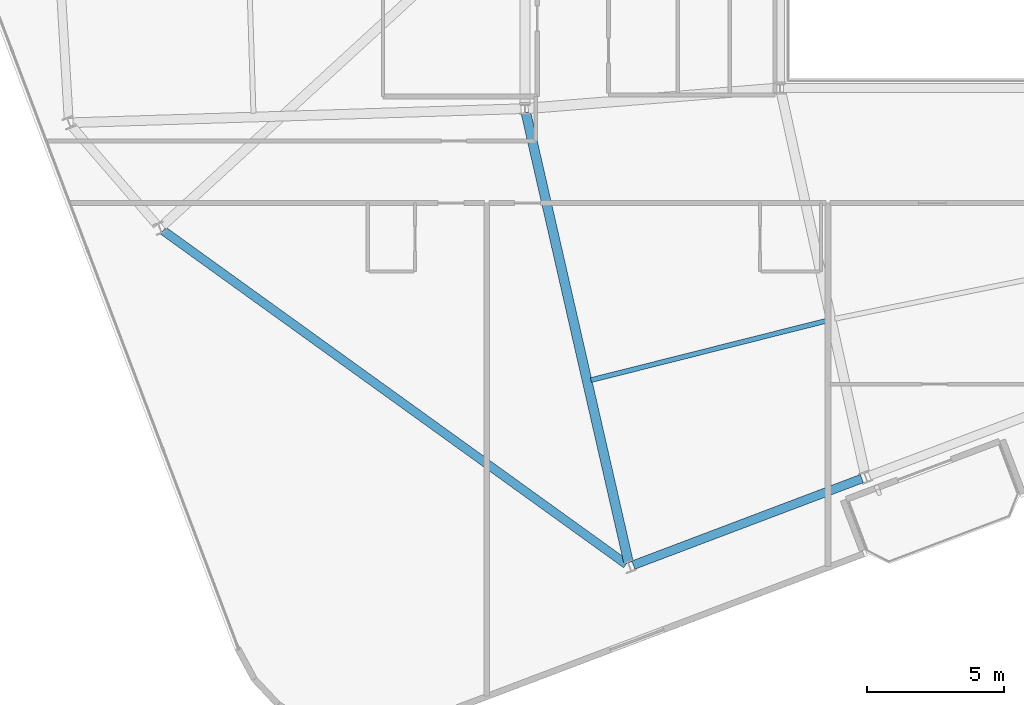
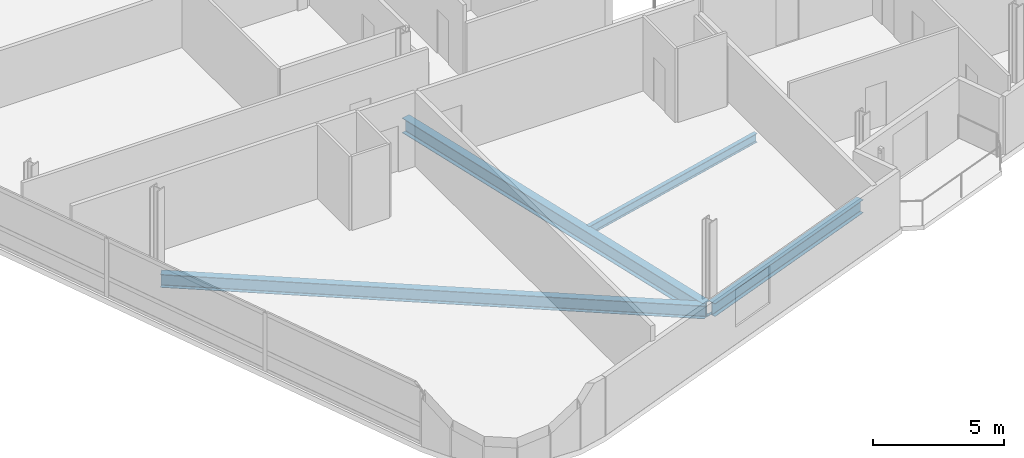
# One storey, part 4 of 20: 4 beams.
"""IFC4 building model written with IfcOpenShell, lengths in metres."""

from ifc_helpers import new_model, si_unit, direction, frame, origin, origin_2d, place, context, subcontext, project, spatial, i_section, extrude, material, material_profile, profile_set, type_object, element, save


model = new_model("IFC4")

# Units and contexts
model_context = context("Model", 3, precision=1e-05, world=origin(), true_north=direction((0.0, 1.0)))
body_context = subcontext(model_context, "Body", "Model", "MODEL_VIEW")
ifc_project = project(units=[si_unit("LENGTHUNIT", "METRE"), si_unit("AREAUNIT", "SQUARE_METRE"), si_unit("VOLUMEUNIT", "CUBIC_METRE"), si_unit("PLANEANGLEUNIT", "RADIAN"), si_unit("MASSUNIT", "GRAM", prefix="KILO")], contexts=[model_context])

# Site, building, storey
site_placement = place(None, origin())
site = spatial("IfcSite", under=ifc_project, at=site_placement, CompositionType="ELEMENT")
building_placement = place(site_placement, origin())
building = spatial("IfcBuilding", under=site, at=building_placement, Name="Varnelok Gate Tower", CompositionType="ELEMENT")
storey_placement = place(building_placement, frame((0.0, 0.0, 223.800048828125)))
storey = spatial("IfcBuildingStorey", under=building, at=storey_placement, Name="L57", CompositionType="ELEMENT", Elevation=223.800048828125)

# Beams
ifc_material = material(Name="Structural Steel ASTM A992 Grade 50", Category="steel")
ifc_material_profile_1 = material_profile(ifc_material, i_section(OverallWidth=0.180908203125, OverallDepth=0.4169921875, WebThickness=0.010986328125, FlangeThickness=0.018310546875, FilletRadius=0.013916015625, at=origin_2d()), Name="W16X57")
ifc_profile_set_1 = profile_set([ifc_material_profile_1], Name="Structural Steel ASTM A992 Grade 50")
beam_type_1 = type_object("IfcBeamType", Name="BM-JST-W16X57", PredefinedType="JOIST", material=ifc_profile_set_1)
beam_1_placement = place(storey_placement, frame((26.81396484375, 8.85498046875, -0.45849609375), z_axis=(0.969661559302, 0.244451345695, 0.0), x_axis=(-0.244451345695, 0.969661559302, 0.0)))
element("IfcBeam", 1, at=beam_1_placement, inside=storey, type_object=beam_type_1, Name="L57 Sector Floor Joist 1", PredefinedType="JOIST", context=body_context, shape_type="SweptSolid", body=[
    extrude(i_section(OverallWidth=0.180908203125, OverallDepth=0.4169921875, WebThickness=0.010986328125, FlangeThickness=0.018310546875, FilletRadius=0.013916015625, at=origin_2d()), origin(), (0.0, 0.0, 1.0), 8.93359375),
])
ifc_material_profile_2 = material_profile(ifc_material, i_section(OverallWidth=0.35498046875, OverallDepth=0.696044921875, WebThickness=0.015380859375, FlangeThickness=0.02490234375, FilletRadius=0.02001953125, at=origin_2d()), Name="W27X146")
ifc_profile_set_2 = profile_set([ifc_material_profile_2], Name="Structural Steel ASTM A992 Grade 50")
beam_type_2 = type_object("IfcBeamType", Name="BM-PRI-W27X146", PredefinedType="BEAM", material=ifc_profile_set_2)
beam_2_placement = place(storey_placement, frame((24.433349609375, 18.65380859375, -0.59814453125), z_axis=(0.222569880735, -0.974916739106, 0.0), x_axis=(0.974916739106, 0.222569880735, 0.0)))
element("IfcBeam", 2, at=beam_2_placement, inside=storey, type_object=beam_type_2, Name="L57 Radial Floor Girder 1", PredefinedType="BEAM", context=body_context, shape_type="SweptSolid", body=[
    extrude(i_section(OverallWidth=0.35498046875, OverallDepth=0.696044921875, WebThickness=0.015380859375, FlangeThickness=0.02490234375, FilletRadius=0.02001953125, at=origin_2d()), origin(), (0.0, 0.0, 1.0), 16.903564453125),
])
ifc_material_profile_3 = material_profile(ifc_material, i_section(OverallWidth=0.323974609375, OverallDepth=0.611083984375, WebThickness=0.0126953125, FlangeThickness=0.01904296875, FilletRadius=0.01806640625, at=origin_2d()), Name="W24X104")
ifc_profile_set_3 = profile_set([ifc_material_profile_3], Name="Structural Steel ASTM A992 Grade 50")
beam_type_3 = type_object("IfcBeamType", Name="BM-SPN-W24X104", PredefinedType="SPANDREL", material=ifc_profile_set_3)
beam_3_placement = place(storey_placement, frame((28.369384765625, 2.081298828125, -0.5556640625), z_axis=(0.935225969099, 0.354051389947, 0.0), x_axis=(-0.354051389947, 0.935225969099, 0.0)))
element("IfcBeam", 3, at=beam_3_placement, inside=storey, type_object=beam_type_3, Name="L57 Perimeter Spandrel Beam 1", PredefinedType="SPANDREL", context=body_context, shape_type="SweptSolid", body=[
    extrude(i_section(OverallWidth=0.323974609375, OverallDepth=0.611083984375, WebThickness=0.0126953125, FlangeThickness=0.01904296875, FilletRadius=0.01806640625, at=origin_2d()), origin(), (0.0, 0.0, 1.0), 8.949951171875),
])
beam_4_placement = place(storey_placement, frame((11.148681640625, 14.33251953125, -0.5556640625), z_axis=(0.811386760244, -0.584509645173, 0.0), x_axis=(0.584509645173, 0.811386760244, 0.0)))
element("IfcBeam", 4, at=beam_4_placement, inside=storey, type_object=beam_type_3, Name="L57 Perimeter Spandrel Beam 16", PredefinedType="SPANDREL", context=body_context, shape_type="SweptSolid", body=[
    extrude(i_section(OverallWidth=0.323974609375, OverallDepth=0.611083984375, WebThickness=0.0126953125, FlangeThickness=0.01904296875, FilletRadius=0.01806640625, at=origin_2d()), origin(), (0.0, 0.0, 1.0), 20.90087890625),
])

save(model, "model.ifc")
